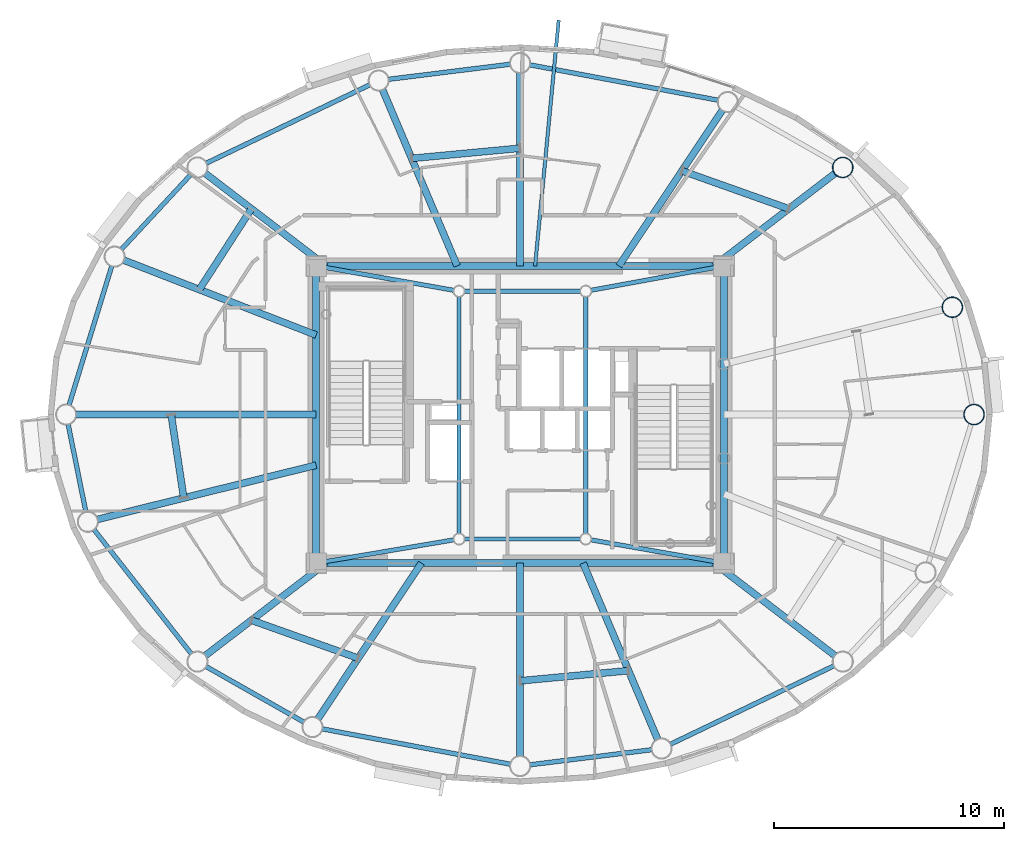
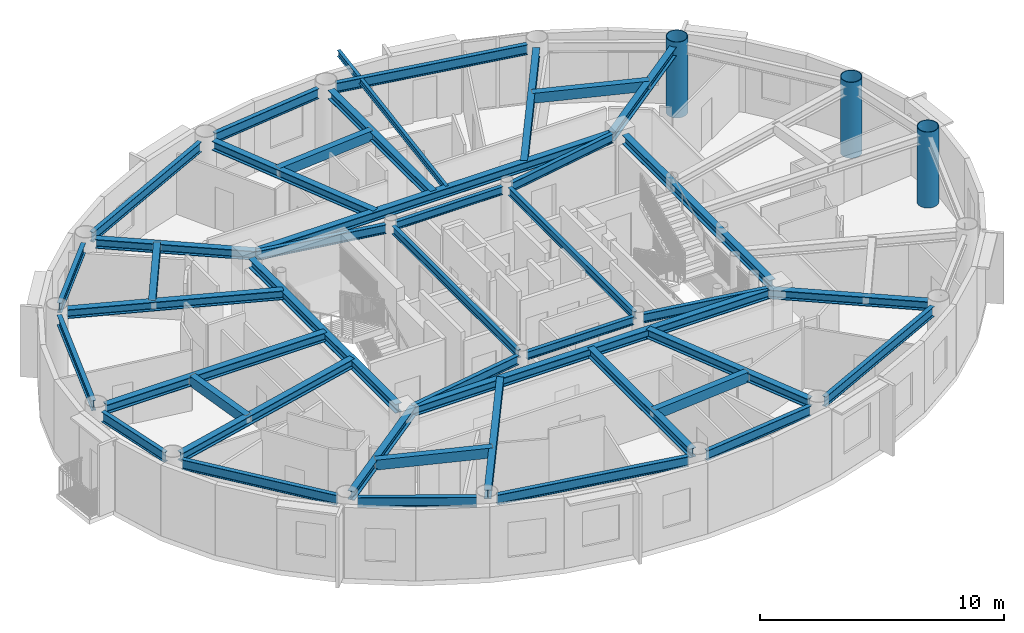
# One storey, part 2 of 17: 43 beams, 3 columns.
"""IFC4 building model written with IfcOpenShell, lengths in metres."""

import ifcopenshell
import ifcopenshell.guid

model = None  # the IFC model being written
_history = None  # IfcOwnerHistory: only IFC2X3 demands one
_inside = {}  # id of a spatial element -> (the spatial element, [elements in it])
_under = {}  # id of a project, library or spatial element -> (it, [spatial elements below it])
_declared = {}  # id of a project -> (the project, [libraries it declares])
_typed = {}  # id of a type object -> (the type object, [elements of that type])
_made_of = {}  # id of a material, layer set ... -> (it, [elements and type objects made of it])


def new_model(schema):
    """Start an empty IFC model of exactly this schema.

    Asked for "IFC4X3", IfcOpenShell would pick the latest addendum, in which some entities
    have other attributes; the version numbers below select the first issue.
    IFC2X3 requires an IfcOwnerHistory on every rooted entity: one is made here for all.
    """
    global model, _history
    if schema == "IFC4X3":
        model = ifcopenshell.file(schema_version=(4, 3, 0, 0))
    else:
        model = ifcopenshell.file(schema=schema)
    _inside.clear()
    _under.clear()
    _declared.clear()
    _typed.clear()
    _made_of.clear()
    _history = None
    if model.schema == "IFC2X3":
        org = make("IfcOrganization", Name="unknown")
        user = make(
            "IfcPersonAndOrganization",
            ThePerson=make("IfcPerson", FamilyName="unknown"),
            TheOrganization=org,
        )
        app = make(
            "IfcApplication",
            ApplicationDeveloper=org,
            Version="unknown",
            ApplicationFullName="unknown",
            ApplicationIdentifier="unknown",
        )
        _history = make(
            "IfcOwnerHistory",
            OwningUser=user,
            OwningApplication=app,
            ChangeAction="ADDED",
            CreationDate=0,
        )
    return model


def make(cls, **values):
    """One entity of the class cls with the attributes given. An attribute that is None is left unset."""
    return model.create_entity(
        cls, **{name: value for name, value in values.items() if value is not None}
    )


def rooted(cls, **values):
    """An entity with a GlobalId (a new one), such as an element, a storey or a relation."""
    return make(cls, GlobalId=ifcopenshell.guid.new(), OwnerHistory=_history, **values)


def si_unit(unit_type, name, prefix=None):
    """IfcSIUnit, for example si_unit("LENGTHUNIT", "METRE", prefix="MILLI")."""
    return make("IfcSIUnit", UnitType=unit_type, Prefix=prefix, Name=name)


def assignment(units):
    """IfcUnitAssignment: the units of a project."""
    return None if units is None else make("IfcUnitAssignment", Units=units)


def point(xyz):
    """IfcCartesianPoint."""
    return None if xyz is None else make("IfcCartesianPoint", Coordinates=xyz)


def direction(xyz):
    """IfcDirection."""
    return None if xyz is None else make("IfcDirection", DirectionRatios=xyz)


def frame(location, z_axis=None, x_axis=None):
    """IfcAxis2Placement3D, a coordinate frame: its origin and axes. An axis left out is left unset."""
    return make(
        "IfcAxis2Placement3D",
        Location=point(location),
        Axis=direction(z_axis),
        RefDirection=direction(x_axis),
    )


def frame_2d(location, x_axis=None):
    """IfcAxis2Placement2D, a coordinate frame in the plane: its origin and x axis."""
    return make(
        "IfcAxis2Placement2D", Location=point(location), RefDirection=direction(x_axis)
    )


def origin():
    """The frame at (0, 0, 0) with its axes left unset."""
    return frame((0.0, 0.0, 0.0))


def origin_2d():
    """The frame at (0, 0) in the plane with its x axis left unset."""
    return frame_2d((0.0, 0.0))


def place(relative_to, where):
    """IfcLocalPlacement: puts the frame where relative to a parent placement (None: the world)."""
    return make(
        "IfcLocalPlacement", PlacementRelTo=relative_to, RelativePlacement=where
    )


def context(
    kind, dimensions, precision=None, world=None, true_north=None, identifier=None
):
    """IfcGeometricRepresentationContext, for example the 3D "Model" context."""
    return make(
        "IfcGeometricRepresentationContext",
        ContextIdentifier=identifier,
        ContextType=kind,
        CoordinateSpaceDimension=dimensions,
        Precision=precision,
        WorldCoordinateSystem=world,
        TrueNorth=true_north,
    )


def subcontext(parent, identifier, kind, view, scale=None):
    """IfcGeometricRepresentationSubContext, for example "Body" below "Model"."""
    return make(
        "IfcGeometricRepresentationSubContext",
        ContextIdentifier=identifier,
        ContextType=kind,
        ParentContext=parent,
        TargetScale=scale,
        TargetView=view,
    )


def project(units=None, contexts=None):
    """IfcProject with its units and contexts."""
    return rooted(
        "IfcProject",
        Name="project",
        RepresentationContexts=contexts,
        UnitsInContext=assignment(units),
    )


def spatial(cls, under=None, at=None, **own):
    """A site, building, storey or space (cls), placed at a placement, below another one or the project."""
    s = rooted(cls, ObjectPlacement=at, **own)
    if under is not None:
        _under.setdefault(under.id(), (under, []))[1].append(s)
    return s


def profile(cls, at=None, kind="AREA", **sizes):
    """A parametric profile (cls). Its sizes go by their IFC names, for example OverallWidth=200.0."""
    return make(cls, ProfileType=kind, Position=at, **sizes)


def hollow_rectangle(**sizes):
    """IfcRectangleHollowProfileDef."""
    return profile("IfcRectangleHollowProfileDef", **sizes)


def hollow_circle(**sizes):
    """IfcCircleHollowProfileDef."""
    return profile("IfcCircleHollowProfileDef", **sizes)


def i_section(**sizes):
    """IfcIShapeProfileDef."""
    return profile("IfcIShapeProfileDef", **sizes)


def extrude(swept, where, along, depth):
    """IfcExtrudedAreaSolid: the profile swept, set in the frame where, extruded along a direction by depth."""
    return make(
        "IfcExtrudedAreaSolid",
        SweptArea=swept,
        Position=where,
        ExtrudedDirection=direction(along),
        Depth=depth,
    )


def shape(context_of_items, identifier, shape_type, items):
    """IfcShapeRepresentation: the items that make up one representation, for example the "Body"."""
    return make(
        "IfcShapeRepresentation",
        ContextOfItems=context_of_items,
        RepresentationIdentifier=identifier,
        RepresentationType=shape_type,
        Items=items,
    )


def material(Name=None, Category=None):
    """IfcMaterial."""
    return make("IfcMaterial", Name=Name, Category=Category)


def material_profile(
    of_material, cross_section, Name=None, Category=None, Priority=None
):
    """IfcMaterialProfile: a cross section and its material."""
    return make(
        "IfcMaterialProfile",
        Name=Name,
        Material=of_material,
        Profile=cross_section,
        Priority=Priority,
        Category=Category,
    )


def profile_set(profiles, Name=None, composite=None):
    """IfcMaterialProfileSet."""
    return make(
        "IfcMaterialProfileSet",
        Name=Name,
        MaterialProfiles=profiles,
        CompositeProfile=composite,
    )


def made_of(thing, what):
    """Note that an element or type object is made of a material, layer set ...; save() writes the relation."""
    if what is not None:
        _made_of.setdefault(what.id(), (what, []))[1].append(thing)
    return thing


def type_object(cls, material=None, **own):
    """A type object (cls), such as IfcWallType, which elements share."""
    return made_of(rooted(cls, **own), material)


def element(
    cls,
    number,
    at=None,
    inside=None,
    cuts=None,
    type_object=None,
    material=None,
    context=None,
    identifier="Body",
    shape_type=None,
    held_by="IfcProductDefinitionShape",
    body=None,
    shapes=None,
    **own,
):
    """One element of the class cls, such as IfcWall. Its Tag is "e" and its number.

    at: its placement. inside: the storey or other place that contains it. cuts: it is an
    opening in that element (IfcRelVoidsElement). A single representation is given by context,
    identifier, shape_type and body (its items); several are given by shapes. held_by: the class
    of the entity that holds the representations. save() writes the other relations.
    """
    e = rooted(cls, Tag="e%d" % number, ObjectPlacement=at, **own)
    if body is not None:
        shapes = [shape(context, identifier, shape_type, body)]
    if shapes is not None:
        e.Representation = make(held_by, Representations=shapes)
    if inside is not None:
        _inside.setdefault(inside.id(), (inside, []))[1].append(e)
    if cuts is not None:
        rooted(
            "IfcRelVoidsElement", RelatingBuildingElement=cuts, RelatedOpeningElement=e
        )
    if type_object is not None:
        _typed.setdefault(type_object.id(), (type_object, []))[1].append(e)
    return made_of(e, material)


def aggregate(whole, parts):
    """IfcRelAggregates: a whole, such as a stair, and the parts it consists of."""
    return rooted("IfcRelAggregates", RelatingObject=whole, RelatedObjects=parts)


def save(model, path):
    """Write the relations noted so far, then the file.

    IfcRelAggregates (storeys below a building ...), IfcRelContainedInSpatialStructure (elements
    in a storey), IfcRelDefinesByType, IfcRelAssociatesMaterial and IfcRelDeclares: one each for
    every whole, place, type object, material and project.
    """
    for whole, parts in _under.values():
        aggregate(whole, parts)
    for where, things in _inside.values():
        rooted(
            "IfcRelContainedInSpatialStructure",
            RelatedElements=things,
            RelatingStructure=where,
        )
    for kind, things in _typed.values():
        rooted("IfcRelDefinesByType", RelatedObjects=things, RelatingType=kind)
    for what, things in _made_of.values():
        rooted("IfcRelAssociatesMaterial", RelatedObjects=things, RelatingMaterial=what)
    for by, libraries in _declared.values():
        rooted("IfcRelDeclares", RelatingContext=by, RelatedDefinitions=libraries)
    model.write(path)


model = new_model("IFC4")

# Units and contexts
model_context = context("Model", 3, precision=1e-05, world=origin(), true_north=direction((0.0, 1.0)))
body_context = subcontext(model_context, "Body", "Model", "MODEL_VIEW")
ifc_project = project(units=[si_unit("LENGTHUNIT", "METRE"), si_unit("AREAUNIT", "SQUARE_METRE"), si_unit("VOLUMEUNIT", "CUBIC_METRE"), si_unit("PLANEANGLEUNIT", "RADIAN"), si_unit("MASSUNIT", "GRAM", prefix="KILO")], contexts=[model_context])

# Site, building, storey
site_placement = place(None, origin())
site = spatial("IfcSite", under=ifc_project, at=site_placement, CompositionType="ELEMENT")
building_placement = place(site_placement, origin())
building = spatial("IfcBuilding", under=site, at=building_placement, Name="Linh Dai School and Residence Tower", CompositionType="ELEMENT")
storey_placement = place(building_placement, frame((0.0, 0.0, 327.800048828125)))
storey = spatial("IfcBuildingStorey", under=building, at=storey_placement, Name="L81", CompositionType="ELEMENT", Elevation=327.800048828125)

# Columns
ifc_material = material(Name="Structural Steel S355JR", Category="steel")
ifc_material_profile_1 = material_profile(ifc_material, hollow_circle(Radius=0.449951171875, WallThickness=0.028076171875, at=origin_2d()), Name="CHS 900x28")
ifc_profile_set_1 = profile_set([ifc_material_profile_1], Name="Structural Steel S355JR")
column_type = type_object("IfcColumnType", Name="COL-MC7", PredefinedType="COLUMN", material=ifc_profile_set_1)
for number, where, z_axis, x_axis, name in (
    (1, (55.699951171875, 27.0, 0.0), (0.0, 0.0, 1.0), (1.0, 0.0, 0.0), "L81 Perimeter CFT Mega-Column MC01"),
    (2, (54.7578125, 31.65478515625, 0.0), (0.0, 0.0, 1.0), (1.0, 0.0, 0.0), "L81 Perimeter CFT Mega-Column MC02"),
    (3, (50.00244140625, 37.72265625, 0.0), (0.0, 0.0, 1.0), (1.0, 0.0, 0.0), "L81 Perimeter CFT Mega-Column MC03"),
):
    element("IfcColumn", number, at=place(storey_placement, frame(where, z_axis=z_axis, x_axis=x_axis)), inside=storey, type_object=column_type, Name=name, PredefinedType="COLUMN", context=body_context, shape_type="SweptSolid", body=[
        extrude(hollow_circle(Radius=0.449951171875, WallThickness=0.028076171875, at=origin_2d()), origin(), (0.0, 0.0, 1.0), 3.800048828125),
    ])

# Beams
ifc_material_profile_2 = material_profile(ifc_material, i_section(OverallWidth=0.14990234375, OverallDepth=0.300048828125, WebThickness=0.007080078125, FlangeThickness=0.0107421875, at=origin_2d()), Name="IPE 300")
ifc_profile_set_2 = profile_set([ifc_material_profile_2], Name="Structural Steel S355JR")
beam_type_1 = type_object("IfcBeamType", Name="BM-BALC-CANT", PredefinedType="BEAM", material=ifc_profile_set_2)
beam_1_placement = place(storey_placement, frame((36.650146484375, 33.449951171875, 3.39990234375), z_axis=(0.095642496679, 0.995415748735, 0.0), x_axis=(-0.995415748735, 0.095642496679, 0.0)))
element("IfcBeam", 4, at=beam_1_placement, inside=storey, type_object=beam_type_1, Name="L82 Balcony Continuous Cantilever Beam 10", PredefinedType="BEAM", context=body_context, shape_type="SweptSolid", body=[
    extrude(i_section(OverallWidth=0.14990234375, OverallDepth=0.300048828125, WebThickness=0.007080078125, FlangeThickness=0.0107421875, at=origin_2d()), origin(), (0.0, 0.0, 1.0), 10.71337890625),
])
ifc_material_profile_3 = material_profile(ifc_material, hollow_rectangle(XDim=0.300048828125, YDim=0.5, WallThickness=0.01611328125, at=origin_2d()), Name="RHS 500x300x16")
ifc_profile_set_3 = profile_set([ifc_material_profile_3], Name="Structural Steel S355JR")
beam_type_2 = type_object("IfcBeamType", Name="BM-BX5", PredefinedType="BEAM", material=ifc_profile_set_3)
beam_2_placement = place(storey_placement, frame((47.654296875, 35.929931640625, 3.300048828125), z_axis=(-0.942259700993, 0.334883048069, 0.0), x_axis=(-0.334883048069, -0.942259700993, 0.0)))
element("IfcBeam", 5, at=beam_2_placement, inside=storey, type_object=beam_type_2, Name="L81 Secondary Circumferential Floor Beam 02", PredefinedType="BEAM", context=body_context, shape_type="SweptSolid", body=[
    extrude(hollow_rectangle(XDim=0.300048828125, YDim=0.5, WallThickness=0.01611328125, at=origin_2d()), origin(), (0.0, 0.0, 1.0), 4.9072265625),
])
beam_3_placement = place(storey_placement, frame((35.9951171875, 38.556396484375, 3.300048828125), z_axis=(-0.995632572685, -0.093358343008, 0.0), x_axis=(0.093358343008, -0.995632572685, 0.0)))
element("IfcBeam", 6, at=beam_3_placement, inside=storey, type_object=beam_type_2, Name="L81 Secondary Circumferential Floor Beam 03", PredefinedType="BEAM", context=body_context, shape_type="SweptSolid", body=[
    extrude(hollow_rectangle(XDim=0.300048828125, YDim=0.5, WallThickness=0.01611328125, at=origin_2d()), origin(), (0.0, 0.0, 1.0), 4.717529296875),
])
beam_4_placement = place(storey_placement, frame((24.33837890625, 35.924072265625, 3.300048828125), z_axis=(-0.542324541187, -0.840169085379, 0.0), x_axis=(0.840169085379, -0.542324541187, 0.0)))
element("IfcBeam", 7, at=beam_4_placement, inside=storey, type_object=beam_type_2, Name="L81 Secondary Circumferential Floor Beam 04", PredefinedType="BEAM", context=body_context, shape_type="SweptSolid", body=[
    extrude(hollow_rectangle(XDim=0.300048828125, YDim=0.5, WallThickness=0.01611328125, at=origin_2d()), origin(), (0.0, 0.0, 1.0), 4.163330078125),
])
beam_5_placement = place(storey_placement, frame((20.857666015625, 26.9951171875, 3.300048828125), z_axis=(0.149229268392, -0.988802622092, 0.0), x_axis=(0.988802622092, 0.149229268392, 0.0)))
element("IfcBeam", 8, at=beam_5_placement, inside=storey, type_object=beam_type_2, Name="L81 Secondary Circumferential Floor Beam 05", PredefinedType="BEAM", context=body_context, shape_type="SweptSolid", body=[
    extrude(hollow_rectangle(XDim=0.300048828125, YDim=0.5, WallThickness=0.01611328125, at=origin_2d()), origin(), (0.0, 0.0, 1.0), 3.6533203125),
])
beam_6_placement = place(storey_placement, frame((24.345703125, 18.070068359375, 3.300048828125), z_axis=(0.942259700993, -0.334883048069, 0.0), x_axis=(0.334883048069, 0.942259700993, 0.0)))
element("IfcBeam", 9, at=beam_6_placement, inside=storey, type_object=beam_type_2, Name="L81 Secondary Circumferential Floor Beam 06", PredefinedType="BEAM", context=body_context, shape_type="SweptSolid", body=[
    extrude(hollow_rectangle(XDim=0.300048828125, YDim=0.5, WallThickness=0.01611328125, at=origin_2d()), origin(), (0.0, 0.0, 1.0), 4.9072265625),
])
beam_7_placement = place(storey_placement, frame((36.0048828125, 15.443603515625, 3.300048828125), z_axis=(0.995632572685, 0.093358343008, 0.0), x_axis=(-0.093358343008, 0.995632572685, 0.0)))
element("IfcBeam", 10, at=beam_7_placement, inside=storey, type_object=beam_type_2, Name="L81 Secondary Circumferential Floor Beam 07", PredefinedType="BEAM", context=body_context, shape_type="SweptSolid", body=[
    extrude(hollow_rectangle(XDim=0.300048828125, YDim=0.5, WallThickness=0.01611328125, at=origin_2d()), origin(), (0.0, 0.0, 1.0), 4.717529296875),
])
ifc_material_profile_4 = material_profile(ifc_material, i_section(OverallWidth=0.199951171875, OverallDepth=0.5, WebThickness=0.01025390625, FlangeThickness=0.01611328125, FilletRadius=0.02099609375, at=origin_2d()), Name="IPE 500")
ifc_profile_set_4 = profile_set([ifc_material_profile_4], Name="Structural Steel S355JR")
beam_type_3 = type_object("IfcBeamType", Name="BM-RB50", PredefinedType="BEAM", material=ifc_profile_set_4)
beam_8_placement = place(storey_placement, frame((44.597412109375, 40.6396484375, 3.300048828125), z_axis=(-0.98280175603, 0.184663771066, 0.0), x_axis=(-0.184663771066, -0.98280175603, 0.0)))
element("IfcBeam", 11, at=beam_8_placement, inside=storey, type_object=beam_type_3, Name="L81 Perimeter Elliptical Ring Beam 04", PredefinedType="BEAM", context=body_context, shape_type="SweptSolid", body=[
    extrude(i_section(OverallWidth=0.199951171875, OverallDepth=0.5, WebThickness=0.01025390625, FlangeThickness=0.01611328125, FilletRadius=0.02099609375, at=origin_2d()), origin(), (0.0, 0.0, 1.0), 8.327880859375),
])
beam_9_placement = place(storey_placement, frame((35.583251953125, 42.203369140625, 3.300048828125), z_axis=(-0.992398979221, -0.123062041428, 0.0), x_axis=(0.123062041428, -0.992398979221, 0.0)))
element("IfcBeam", 12, at=beam_9_placement, inside=storey, type_object=beam_type_3, Name="L81 Perimeter Elliptical Ring Beam 05", PredefinedType="BEAM", context=body_context, shape_type="SweptSolid", body=[
    extrude(i_section(OverallWidth=0.199951171875, OverallDepth=0.5, WebThickness=0.01025390625, FlangeThickness=0.01611328125, FilletRadius=0.02099609375, at=origin_2d()), origin(), (0.0, 0.0, 1.0), 5.344482421875),
])
beam_10_placement = place(storey_placement, frame((29.483642578125, 41.312255859375, 3.300048828125), z_axis=(-0.901701330417, -0.432359469335, 0.0), x_axis=(0.432359469335, -0.901701330417, 0.0)))
element("IfcBeam", 13, at=beam_10_placement, inside=storey, type_object=beam_type_3, Name="L81 Perimeter Elliptical Ring Beam 06", PredefinedType="BEAM", context=body_context, shape_type="SweptSolid", body=[
    extrude(i_section(OverallWidth=0.199951171875, OverallDepth=0.5, WebThickness=0.01025390625, FlangeThickness=0.01611328125, FilletRadius=0.02099609375, at=origin_2d()), origin(), (0.0, 0.0, 1.0), 7.88232421875),
])
beam_11_placement = place(storey_placement, frame((21.7119140625, 37.4150390625, 3.300048828125), z_axis=(-0.680339330162, -0.732897261446, 0.0), x_axis=(0.732897261446, -0.680339330162, 0.0)))
element("IfcBeam", 14, at=beam_11_placement, inside=storey, type_object=beam_type_3, Name="L81 Perimeter Elliptical Ring Beam 07", PredefinedType="BEAM", context=body_context, shape_type="SweptSolid", body=[
    extrude(i_section(OverallWidth=0.199951171875, OverallDepth=0.5, WebThickness=0.01025390625, FlangeThickness=0.01611328125, FilletRadius=0.02099609375, at=origin_2d()), origin(), (0.0, 0.0, 1.0), 4.440673828125),
])
beam_12_placement = place(storey_placement, frame((18.281494140625, 33.451171875, 3.300048828125), z_axis=(-0.293606003102, -0.955926521728, 0.0), x_axis=(0.955926521728, -0.293606003102, 0.0)))
element("IfcBeam", 15, at=beam_12_placement, inside=storey, type_object=beam_type_3, Name="L81 Perimeter Elliptical Ring Beam 08", PredefinedType="BEAM", context=body_context, shape_type="SweptSolid", body=[
    extrude(i_section(OverallWidth=0.199951171875, OverallDepth=0.5, WebThickness=0.01025390625, FlangeThickness=0.01611328125, FilletRadius=0.02099609375, at=origin_2d()), origin(), (0.0, 0.0, 1.0), 6.32861328125),
])
beam_13_placement = place(storey_placement, frame((16.38330078125, 26.58837890625, 3.300048828125), z_axis=(0.198409502721, -0.980119211744, 0.0), x_axis=(0.980119211744, 0.198409502721, 0.0)))
element("IfcBeam", 16, at=beam_13_placement, inside=storey, type_object=beam_type_3, Name="L81 Perimeter Elliptical Ring Beam 09", PredefinedType="BEAM", context=body_context, shape_type="SweptSolid", body=[
    extrude(i_section(OverallWidth=0.199951171875, OverallDepth=0.5, WebThickness=0.01025390625, FlangeThickness=0.01611328125, FilletRadius=0.02099609375, at=origin_2d()), origin(), (0.0, 0.0, 1.0), 3.9091796875),
])
beam_14_placement = place(storey_placement, frame((17.501220703125, 22.0146484375, 3.300048828125), z_axis=(0.616844770958, -0.787084829318, 0.0), x_axis=(0.787084829318, 0.616844770958, 0.0)))
element("IfcBeam", 17, at=beam_14_placement, inside=storey, type_object=beam_type_3, Name="L81 Perimeter Elliptical Ring Beam 10", PredefinedType="BEAM", context=body_context, shape_type="SweptSolid", body=[
    extrude(i_section(OverallWidth=0.199951171875, OverallDepth=0.5, WebThickness=0.01025390625, FlangeThickness=0.01611328125, FilletRadius=0.02099609375, at=origin_2d()), origin(), (0.0, 0.0, 1.0), 6.869384765625),
])
beam_15_placement = place(storey_placement, frame((22.362548828125, 16.069580078125, 3.300048828125), z_axis=(0.86923725405, -0.494395182189, 0.0), x_axis=(0.494395182189, 0.86923725405, 0.0)))
element("IfcBeam", 18, at=beam_15_placement, inside=storey, type_object=beam_type_3, Name="L81 Perimeter Elliptical Ring Beam 11", PredefinedType="BEAM", context=body_context, shape_type="SweptSolid", body=[
    extrude(i_section(OverallWidth=0.199951171875, OverallDepth=0.5, WebThickness=0.01025390625, FlangeThickness=0.01611328125, FilletRadius=0.02099609375, at=origin_2d()), origin(), (0.0, 0.0, 1.0), 4.903076171875),
])
beam_16_placement = place(storey_placement, frame((27.402587890625, 13.3603515625, 3.300048828125), z_axis=(0.98280175603, -0.184663771066, 0.0), x_axis=(0.184663771066, 0.98280175603, 0.0)))
element("IfcBeam", 19, at=beam_16_placement, inside=storey, type_object=beam_type_3, Name="L81 Perimeter Elliptical Ring Beam 12", PredefinedType="BEAM", context=body_context, shape_type="SweptSolid", body=[
    extrude(i_section(OverallWidth=0.199951171875, OverallDepth=0.5, WebThickness=0.01025390625, FlangeThickness=0.01611328125, FilletRadius=0.02099609375, at=origin_2d()), origin(), (0.0, 0.0, 1.0), 8.327880859375),
])
beam_17_placement = place(storey_placement, frame((36.416748046875, 11.796630859375, 3.300048828125), z_axis=(0.992398979221, 0.123062041428, 0.0), x_axis=(-0.123062041428, 0.992398979221, 0.0)))
element("IfcBeam", 20, at=beam_17_placement, inside=storey, type_object=beam_type_3, Name="L81 Perimeter Elliptical Ring Beam 13", PredefinedType="BEAM", context=body_context, shape_type="SweptSolid", body=[
    extrude(i_section(OverallWidth=0.199951171875, OverallDepth=0.5, WebThickness=0.01025390625, FlangeThickness=0.01611328125, FilletRadius=0.02099609375, at=origin_2d()), origin(), (0.0, 0.0, 1.0), 5.344482421875),
])
beam_18_placement = place(storey_placement, frame((42.516357421875, 12.687744140625, 3.300048828125), z_axis=(0.901701330417, 0.432359469335, 0.0), x_axis=(-0.432359469335, 0.901701330417, 0.0)))
element("IfcBeam", 21, at=beam_18_placement, inside=storey, type_object=beam_type_3, Name="L81 Perimeter Elliptical Ring Beam 14", PredefinedType="BEAM", context=body_context, shape_type="SweptSolid", body=[
    extrude(i_section(OverallWidth=0.199951171875, OverallDepth=0.5, WebThickness=0.01025390625, FlangeThickness=0.01611328125, FilletRadius=0.02099609375, at=origin_2d()), origin(), (0.0, 0.0, 1.0), 7.88232421875),
])
ifc_material_profile_5 = material_profile(ifc_material, i_section(OverallWidth=0.300048828125, OverallDepth=0.449951171875, WebThickness=0.013916015625, FlangeThickness=0.02587890625, FilletRadius=0.027099609375, at=origin_2d()), Name="HEB 450")
ifc_profile_set_5 = profile_set([ifc_material_profile_5], Name="Structural Steel S355JR")
beam_type_4 = type_object("IfcBeamType", Name="BM-RG45", PredefinedType="BEAM", material=ifc_profile_set_5)
beam_19_placement = place(storey_placement, frame((27.570068359375, 20.550048828125, 3.324951171875), z_axis=(1.0, 0.0, 0.0), x_axis=(0.0, 1.0, 0.0)))
element("IfcBeam", 22, at=beam_19_placement, inside=storey, type_object=beam_type_4, Name="L81 Core Perimeter Coupling Girder 1", PredefinedType="BEAM", context=body_context, shape_type="SweptSolid", body=[
    extrude(i_section(OverallWidth=0.300048828125, OverallDepth=0.449951171875, WebThickness=0.013916015625, FlangeThickness=0.02587890625, FilletRadius=0.027099609375, at=origin_2d()), origin(), (0.0, 0.0, 1.0), 16.85986328125),
])
beam_20_placement = place(storey_placement, frame((44.85009765625, 20.969970703125, 3.324951171875), z_axis=(0.0, 1.0, 0.0), x_axis=(-1.0, 0.0, 0.0)))
element("IfcBeam", 23, at=beam_20_placement, inside=storey, type_object=beam_type_4, Name="L81 Core Perimeter Coupling Girder 2", PredefinedType="BEAM", context=body_context, shape_type="SweptSolid", body=[
    extrude(i_section(OverallWidth=0.300048828125, OverallDepth=0.449951171875, WebThickness=0.013916015625, FlangeThickness=0.02587890625, FilletRadius=0.027099609375, at=origin_2d()), origin(), (0.0, 0.0, 1.0), 12.06005859375),
])
beam_21_placement = place(storey_placement, frame((44.429931640625, 33.449951171875, 3.324951171875), z_axis=(-1.0, 0.0, 0.0), x_axis=(0.0, -1.0, 0.0)))
element("IfcBeam", 24, at=beam_21_placement, inside=storey, type_object=beam_type_4, Name="L81 Core Perimeter Coupling Girder 3", PredefinedType="BEAM", context=body_context, shape_type="SweptSolid", body=[
    extrude(i_section(OverallWidth=0.300048828125, OverallDepth=0.449951171875, WebThickness=0.013916015625, FlangeThickness=0.02587890625, FilletRadius=0.027099609375, at=origin_2d()), origin(), (0.0, 0.0, 1.0), 16.85986328125),
])
beam_22_placement = place(storey_placement, frame((27.14990234375, 33.030029296875, 3.324951171875), z_axis=(0.0, -1.0, 0.0), x_axis=(1.0, 0.0, 0.0)))
element("IfcBeam", 25, at=beam_22_placement, inside=storey, type_object=beam_type_4, Name="L81 Core Perimeter Coupling Girder 4", PredefinedType="BEAM", context=body_context, shape_type="SweptSolid", body=[
    extrude(i_section(OverallWidth=0.300048828125, OverallDepth=0.449951171875, WebThickness=0.013916015625, FlangeThickness=0.02587890625, FilletRadius=0.027099609375, at=origin_2d()), origin(), (0.0, 0.0, 1.0), 12.06005859375),
])
beam_23_placement = place(storey_placement, frame((44.4228515625, 33.449951171875, 3.324951171875), z_axis=(0.793929753809, 0.608009495006, 0.0), x_axis=(-0.608009495006, 0.793929753809, 0.0)))
element("IfcBeam", 26, at=beam_23_placement, inside=storey, type_object=beam_type_4, Name="L81 Primary Radial Floor Girder 03", PredefinedType="BEAM", context=body_context, shape_type="SweptSolid", body=[
    extrude(i_section(OverallWidth=0.300048828125, OverallDepth=0.449951171875, WebThickness=0.013916015625, FlangeThickness=0.02587890625, FilletRadius=0.027099609375, at=origin_2d()), origin(), (0.0, 0.0, 1.0), 6.607666015625),
])
beam_24_placement = place(storey_placement, frame((40.28515625, 33.449951171875, 3.324951171875), z_axis=(0.553380967678, 0.832928270989, 0.0), x_axis=(-0.832928270989, 0.553380967678, 0.0)))
element("IfcBeam", 27, at=beam_24_placement, inside=storey, type_object=beam_type_4, Name="L81 Primary Radial Floor Girder 04", PredefinedType="BEAM", context=body_context, shape_type="SweptSolid", body=[
    extrude(i_section(OverallWidth=0.300048828125, OverallDepth=0.449951171875, WebThickness=0.013916015625, FlangeThickness=0.02587890625, FilletRadius=0.027099609375, at=origin_2d()), origin(), (0.0, 0.0, 1.0), 8.11865234375),
])
beam_25_placement = place(storey_placement, frame((36.0, 33.449951171875, 3.324951171875), z_axis=(0.0, 1.0, 0.0), x_axis=(-1.0, 0.0, 0.0)))
element("IfcBeam", 28, at=beam_25_placement, inside=storey, type_object=beam_type_4, Name="L81 Primary Radial Floor Girder 05", PredefinedType="BEAM", context=body_context, shape_type="SweptSolid", body=[
    extrude(i_section(OverallWidth=0.300048828125, OverallDepth=0.449951171875, WebThickness=0.013916015625, FlangeThickness=0.02587890625, FilletRadius=0.027099609375, at=origin_2d()), origin(), (0.0, 0.0, 1.0), 8.385009765625),
])
beam_26_placement = place(storey_placement, frame((33.268798828125, 33.449951171875, 3.324951171875), z_axis=(-0.389954119501, 0.920834287309, 0.0), x_axis=(-0.920834287309, -0.389954119501, 0.0)))
element("IfcBeam", 29, at=beam_26_placement, inside=storey, type_object=beam_type_4, Name="L81 Primary Radial Floor Girder 06", PredefinedType="BEAM", context=body_context, shape_type="SweptSolid", body=[
    extrude(i_section(OverallWidth=0.300048828125, OverallDepth=0.449951171875, WebThickness=0.013916015625, FlangeThickness=0.02587890625, FilletRadius=0.027099609375, at=origin_2d()), origin(), (0.0, 0.0, 1.0), 8.3154296875),
])
beam_27_placement = place(storey_placement, frame((27.5771484375, 33.449951171875, 3.324951171875), z_axis=(-0.793929753809, 0.608009495006, 0.0), x_axis=(-0.608009495006, -0.793929753809, 0.0)))
element("IfcBeam", 30, at=beam_27_placement, inside=storey, type_object=beam_type_4, Name="L81 Primary Radial Floor Girder 07", PredefinedType="BEAM", context=body_context, shape_type="SweptSolid", body=[
    extrude(i_section(OverallWidth=0.300048828125, OverallDepth=0.449951171875, WebThickness=0.013916015625, FlangeThickness=0.02587890625, FilletRadius=0.027099609375, at=origin_2d()), origin(), (0.0, 0.0, 1.0), 6.607666015625),
])
beam_28_placement = place(storey_placement, frame((27.14990234375, 30.44677734375, 3.324951171875), z_axis=(-0.931822607816, 0.362914077384, 0.0), x_axis=(-0.362914077384, -0.931822607816, 0.0)))
element("IfcBeam", 31, at=beam_28_placement, inside=storey, type_object=beam_type_4, Name="L81 Primary Radial Floor Girder 08", PredefinedType="BEAM", context=body_context, shape_type="SweptSolid", body=[
    extrude(i_section(OverallWidth=0.300048828125, OverallDepth=0.449951171875, WebThickness=0.013916015625, FlangeThickness=0.02587890625, FilletRadius=0.027099609375, at=origin_2d()), origin(), (0.0, 0.0, 1.0), 8.964599609375),
])
beam_29_placement = place(storey_placement, frame((27.14990234375, 27.0, 3.324951171875), z_axis=(-1.0, 0.0, 0.0), x_axis=(0.0, -1.0, 0.0)))
element("IfcBeam", 32, at=beam_29_placement, inside=storey, type_object=beam_type_4, Name="L81 Primary Radial Floor Girder 09", PredefinedType="BEAM", context=body_context, shape_type="SweptSolid", body=[
    extrude(i_section(OverallWidth=0.300048828125, OverallDepth=0.449951171875, WebThickness=0.013916015625, FlangeThickness=0.02587890625, FilletRadius=0.027099609375, at=origin_2d()), origin(), (0.0, 0.0, 1.0), 10.429931640625),
])
beam_30_placement = place(storey_placement, frame((27.14990234375, 24.803955078125, 3.324951171875), z_axis=(-0.970563583495, -0.24084503398, 0.0), x_axis=(0.24084503398, -0.970563583495, 0.0)))
element("IfcBeam", 33, at=beam_30_placement, inside=storey, type_object=beam_type_4, Name="L81 Primary Radial Floor Girder 10", PredefinedType="BEAM", context=body_context, shape_type="SweptSolid", body=[
    extrude(i_section(OverallWidth=0.300048828125, OverallDepth=0.449951171875, WebThickness=0.013916015625, FlangeThickness=0.02587890625, FilletRadius=0.027099609375, at=origin_2d()), origin(), (0.0, 0.0, 1.0), 9.7880859375),
])
beam_31_placement = place(storey_placement, frame((27.5771484375, 20.550048828125, 3.324951171875), z_axis=(-0.793929753809, -0.608009495006, 0.0), x_axis=(0.608009495006, -0.793929753809, 0.0)))
element("IfcBeam", 34, at=beam_31_placement, inside=storey, type_object=beam_type_4, Name="L81 Primary Radial Floor Girder 11", PredefinedType="BEAM", context=body_context, shape_type="SweptSolid", body=[
    extrude(i_section(OverallWidth=0.300048828125, OverallDepth=0.449951171875, WebThickness=0.013916015625, FlangeThickness=0.02587890625, FilletRadius=0.027099609375, at=origin_2d()), origin(), (0.0, 0.0, 1.0), 6.607666015625),
])
beam_32_placement = place(storey_placement, frame((31.71484375, 20.550048828125, 3.324951171875), z_axis=(-0.553380967678, -0.832928270989, 0.0), x_axis=(0.832928270989, -0.553380967678, 0.0)))
element("IfcBeam", 35, at=beam_32_placement, inside=storey, type_object=beam_type_4, Name="L81 Primary Radial Floor Girder 12", PredefinedType="BEAM", context=body_context, shape_type="SweptSolid", body=[
    extrude(i_section(OverallWidth=0.300048828125, OverallDepth=0.449951171875, WebThickness=0.013916015625, FlangeThickness=0.02587890625, FilletRadius=0.027099609375, at=origin_2d()), origin(), (0.0, 0.0, 1.0), 8.11865234375),
])
beam_33_placement = place(storey_placement, frame((36.0, 20.550048828125, 3.324951171875), z_axis=(0.0, -1.0, 0.0), x_axis=(1.0, 0.0, 0.0)))
element("IfcBeam", 36, at=beam_33_placement, inside=storey, type_object=beam_type_4, Name="L81 Primary Radial Floor Girder 13", PredefinedType="BEAM", context=body_context, shape_type="SweptSolid", body=[
    extrude(i_section(OverallWidth=0.300048828125, OverallDepth=0.449951171875, WebThickness=0.013916015625, FlangeThickness=0.02587890625, FilletRadius=0.027099609375, at=origin_2d()), origin(), (0.0, 0.0, 1.0), 8.385009765625),
])
beam_34_placement = place(storey_placement, frame((38.731201171875, 20.550048828125, 3.324951171875), z_axis=(0.389954119501, -0.920834287309, 0.0), x_axis=(0.920834287309, 0.389954119501, 0.0)))
element("IfcBeam", 37, at=beam_34_placement, inside=storey, type_object=beam_type_4, Name="L81 Primary Radial Floor Girder 14", PredefinedType="BEAM", context=body_context, shape_type="SweptSolid", body=[
    extrude(i_section(OverallWidth=0.300048828125, OverallDepth=0.449951171875, WebThickness=0.013916015625, FlangeThickness=0.02587890625, FilletRadius=0.027099609375, at=origin_2d()), origin(), (0.0, 0.0, 1.0), 8.3154296875),
])
beam_35_placement = place(storey_placement, frame((44.4228515625, 20.550048828125, 3.324951171875), z_axis=(0.793929753809, -0.608009495006, 0.0), x_axis=(0.608009495006, 0.793929753809, 0.0)))
element("IfcBeam", 38, at=beam_35_placement, inside=storey, type_object=beam_type_4, Name="L81 Primary Radial Floor Girder 15", PredefinedType="BEAM", context=body_context, shape_type="SweptSolid", body=[
    extrude(i_section(OverallWidth=0.300048828125, OverallDepth=0.449951171875, WebThickness=0.013916015625, FlangeThickness=0.02587890625, FilletRadius=0.027099609375, at=origin_2d()), origin(), (0.0, 0.0, 1.0), 6.607666015625),
])
ifc_material_profile_6 = material_profile(ifc_material, i_section(OverallWidth=0.179931640625, OverallDepth=0.39990234375, WebThickness=0.008544921875, FlangeThickness=0.013427734375, FilletRadius=0.02099609375, at=origin_2d()), Name="IPE 400")
ifc_profile_set_6 = profile_set([ifc_material_profile_6], Name="Structural Steel S355JR")
beam_type_5 = type_object("IfcBeamType", Name="BM-SB40", PredefinedType="BEAM", material=ifc_profile_set_6)
beam_36_placement = place(storey_placement, frame((33.573974609375, 21.60009765625, 3.349853515625), z_axis=(1.0, 0.0, 0.0), x_axis=(0.0, 1.0, 0.0)))
element("IfcBeam", 39, at=beam_36_placement, inside=storey, type_object=beam_type_5, Name="L81 Core Mast Pier Tie Beam 1", PredefinedType="BEAM", context=body_context, shape_type="SweptSolid", body=[
    extrude(i_section(OverallWidth=0.179931640625, OverallDepth=0.39990234375, WebThickness=0.008544921875, FlangeThickness=0.013427734375, FilletRadius=0.02099609375, at=origin_2d()), origin(), (0.0, 0.0, 1.0), 5.052001953125),
])
beam_37_placement = place(storey_placement, frame((38.85009765625, 21.823974609375, 3.349853515625), z_axis=(0.0, 1.0, 0.0), x_axis=(-1.0, 0.0, 0.0)))
element("IfcBeam", 40, at=beam_37_placement, inside=storey, type_object=beam_type_5, Name="L81 Core Mast Pier Tie Beam 2", PredefinedType="BEAM", context=body_context, shape_type="SweptSolid", body=[
    extrude(i_section(OverallWidth=0.179931640625, OverallDepth=0.39990234375, WebThickness=0.008544921875, FlangeThickness=0.013427734375, FilletRadius=0.02099609375, at=origin_2d()), origin(), (0.0, 0.0, 1.0), 10.302001953125),
])
beam_38_placement = place(storey_placement, frame((38.6259765625, 32.35009765625, 3.349853515625), z_axis=(-1.0, 0.0, 0.0), x_axis=(0.0, -1.0, 0.0)))
element("IfcBeam", 41, at=beam_38_placement, inside=storey, type_object=beam_type_5, Name="L81 Core Mast Pier Tie Beam 3", PredefinedType="BEAM", context=body_context, shape_type="SweptSolid", body=[
    extrude(i_section(OverallWidth=0.179931640625, OverallDepth=0.39990234375, WebThickness=0.008544921875, FlangeThickness=0.013427734375, FilletRadius=0.02099609375, at=origin_2d()), origin(), (0.0, 0.0, 1.0), 5.052001953125),
])
beam_39_placement = place(storey_placement, frame((33.35009765625, 32.1259765625, 3.349853515625), z_axis=(0.0, -1.0, 0.0), x_axis=(1.0, 0.0, 0.0)))
element("IfcBeam", 42, at=beam_39_placement, inside=storey, type_object=beam_type_5, Name="L81 Core Mast Pier Tie Beam 4", PredefinedType="BEAM", context=body_context, shape_type="SweptSolid", body=[
    extrude(i_section(OverallWidth=0.179931640625, OverallDepth=0.39990234375, WebThickness=0.008544921875, FlangeThickness=0.013427734375, FilletRadius=0.02099609375, at=origin_2d()), origin(), (0.0, 0.0, 1.0), 10.302001953125),
])
ifc_material_profile_7 = material_profile(ifc_material, i_section(OverallWidth=0.18994140625, OverallDepth=0.449951171875, WebThickness=0.009521484375, FlangeThickness=0.0146484375, FilletRadius=0.02099609375, at=origin_2d()), Name="IPE 450")
ifc_profile_set_7 = profile_set([ifc_material_profile_7], Name="Structural Steel S355JR")
beam_type_6 = type_object("IfcBeamType", Name="BM-SB45", PredefinedType="BEAM", material=ifc_profile_set_7)
beam_40_placement = place(storey_placement, frame((27.564208984375, 20.6201171875, 3.324951171875), z_axis=(0.98596270559, 0.166965694638, 0.0), x_axis=(-0.166965694638, 0.98596270559, 0.0)))
element("IfcBeam", 43, at=beam_40_placement, inside=storey, type_object=beam_type_6, Name="L81 Core Corner-to-Mast Pier Beam 1", PredefinedType="BEAM", context=body_context, shape_type="SweptSolid", body=[
    extrude(i_section(OverallWidth=0.18994140625, OverallDepth=0.449951171875, WebThickness=0.009521484375, FlangeThickness=0.0146484375, FilletRadius=0.02099609375, at=origin_2d()), origin(), (0.0, 0.0, 1.0), 5.644287109375),
])
beam_41_placement = place(storey_placement, frame((44.436279296875, 20.622314453125, 3.324951171875), z_axis=(-0.985031608673, 0.17237380867, 0.0), x_axis=(-0.17237380867, -0.985031608673, 0.0)))
element("IfcBeam", 44, at=beam_41_placement, inside=storey, type_object=beam_type_6, Name="L81 Core Corner-to-Mast Pier Beam 2", PredefinedType="BEAM", context=body_context, shape_type="SweptSolid", body=[
    extrude(i_section(OverallWidth=0.18994140625, OverallDepth=0.449951171875, WebThickness=0.009521484375, FlangeThickness=0.0146484375, FilletRadius=0.02099609375, at=origin_2d()), origin(), (0.0, 0.0, 1.0), 5.447265625),
])
beam_42_placement = place(storey_placement, frame((44.436767578125, 33.374267578125, 3.324951171875), z_axis=(-0.983605366802, -0.180334362777, 0.0), x_axis=(0.180334362777, -0.983605366802, 0.0)))
element("IfcBeam", 45, at=beam_42_placement, inside=storey, type_object=beam_type_6, Name="L81 Core Corner-to-Mast Pier Beam 3", PredefinedType="BEAM", context=body_context, shape_type="SweptSolid", body=[
    extrude(i_section(OverallWidth=0.18994140625, OverallDepth=0.449951171875, WebThickness=0.009521484375, FlangeThickness=0.0146484375, FilletRadius=0.02099609375, at=origin_2d()), origin(), (0.0, 0.0, 1.0), 5.455810546875),
])
beam_43_placement = place(storey_placement, frame((27.5634765625, 33.376708984375, 3.324951171875), z_axis=(0.984621828197, -0.174699328672, 0.0), x_axis=(0.174699328672, 0.984621828197, 0.0)))
element("IfcBeam", 46, at=beam_43_placement, inside=storey, type_object=beam_type_6, Name="L81 Core Corner-to-Mast Pier Beam 4", PredefinedType="BEAM", context=body_context, shape_type="SweptSolid", body=[
    extrude(i_section(OverallWidth=0.18994140625, OverallDepth=0.449951171875, WebThickness=0.009521484375, FlangeThickness=0.0146484375, FilletRadius=0.02099609375, at=origin_2d()), origin(), (0.0, 0.0, 1.0), 5.65283203125),
])

save(model, "model.ifc")
